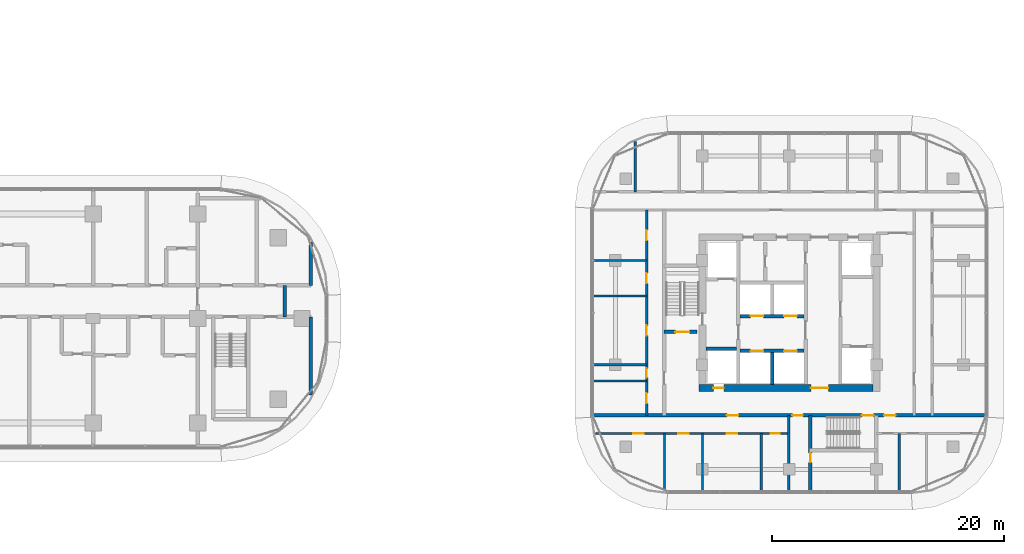
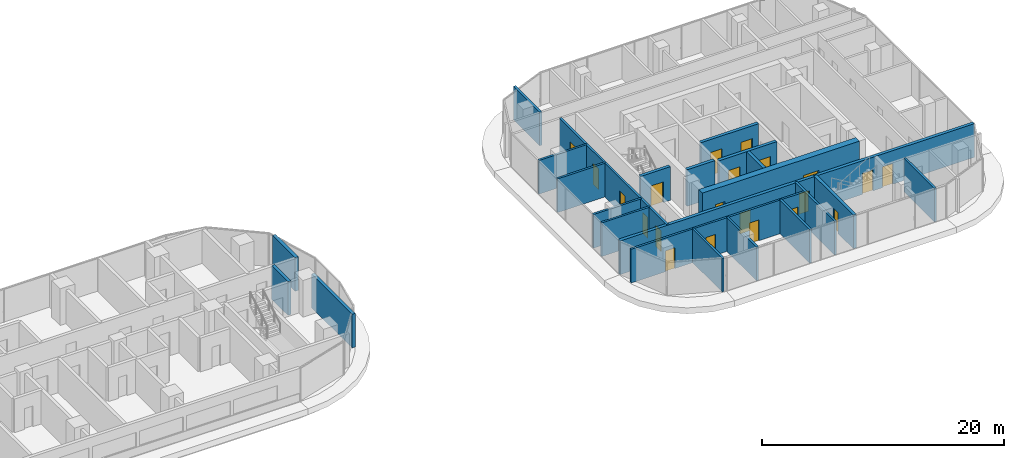
# One storey, part 22 of 36: 23 walls, 21 doors, 21 openings.
"""IFC4 building model written with IfcOpenShell, lengths in metres."""

from ifc_helpers import new_model, si_unit, direction, frame, frame_2d, origin, place, context, subcontext, project, spatial, rectangle, extrude, material, layer, layer_set, type_object, element, fill, save


model = new_model("IFC4")

# Units and contexts
model_context = context("Model", 3, precision=1e-05, world=origin(), true_north=direction((0.0, 1.0)))
body_context = subcontext(model_context, "Body", "Model", "MODEL_VIEW")
ifc_project = project(units=[si_unit("LENGTHUNIT", "METRE"), si_unit("AREAUNIT", "SQUARE_METRE"), si_unit("VOLUMEUNIT", "CUBIC_METRE"), si_unit("PLANEANGLEUNIT", "RADIAN"), si_unit("MASSUNIT", "GRAM", prefix="KILO")], contexts=[model_context])

# Site, building, storey
site_placement = place(None, origin())
site = spatial("IfcSite", under=ifc_project, at=site_placement, CompositionType="ELEMENT")
building_placement = place(site_placement, origin())
building = spatial("IfcBuilding", under=site, at=building_placement, Name="Ogive Portal Towers", CompositionType="ELEMENT")
storey_placement = place(building_placement, frame((0.0, 0.0, 52.0)))
storey = spatial("IfcBuildingStorey", under=building, at=storey_placement, Name="L11", CompositionType="ELEMENT", Elevation=52.0)

# Wall
ifc_material_1 = material(Name="Concrete C60/75", Category="concrete")
ifc_layer_1 = layer(ifc_material_1, 0.300048828125)
ifc_layer_set_1 = layer_set([ifc_layer_1], Name="CORE WALL 300 C60")
wall_type_1 = type_object("IfcWallType", Name="CORE WALL 300 C60", PredefinedType="SHEAR", material=ifc_layer_set_1)
wall_1_placement = place(storey_placement, frame((135.0, 24.800048828125, 0.0), z_axis=(0.0, 0.0, 1.0), x_axis=(0.0, 1.0, 0.0)))
element("IfcWall", 1, at=wall_1_placement, inside=storey, type_object=wall_type_1, Name="Tower B core wall BX4 L11", PredefinedType="SHEAR", context=body_context, shape_type="SweptSolid", body=[
    extrude(rectangle(XDim=2.75, YDim=0.300048828125, at=frame_2d((1.375, 0.0))), origin(), (0.0, 0.0, 1.0), 3.699951171875),
])

# Wall, openings, doors
wall_2_placement = place(storey_placement, frame((132.25, 27.699951171875, 0.0), z_axis=(0.0, 0.0, 1.0), x_axis=(1.0, 0.0, 0.0)))
wall_2 = element("IfcWall", 2, at=wall_2_placement, inside=storey, type_object=wall_type_1, Name="Tower B core wall BY1 L11", PredefinedType="SHEAR", context=body_context, shape_type="SweptSolid", body=[
    extrude(rectangle(XDim=5.5, YDim=0.300048828125, at=frame_2d((2.75, 0.0))), origin(), (0.0, 0.0, 1.0), 3.699951171875),
])
opening_1_placement = place(wall_2_placement, frame((0.89990234375, 0.0, 0.0)))
opening_1 = element("IfcOpeningElement", 3, at=opening_1_placement, cuts=wall_2, Name="Opening B03-048", PredefinedType="OPENING", context=body_context, shape_type="SweptSolid", body=[
    extrude(rectangle(XDim=1.10009765625, YDim=2.39990234375, at=frame_2d((0.550048828125, 1.199951171875))), frame((0.0, 0.16015625, 0.0), z_axis=(0.0, -1.0, 0.0), x_axis=(1.0, 0.0, 0.0)), (0.0, 0.0, 1.0), 0.320068359375),
])
opening_2_placement = place(wall_2_placement, frame((3.800048828125, 0.0, 0.0)))
opening_2 = element("IfcOpeningElement", 4, at=opening_2_placement, cuts=wall_2, Name="Opening B03-049", PredefinedType="OPENING", context=body_context, shape_type="SweptSolid", body=[
    extrude(rectangle(XDim=1.10009765625, YDim=2.39990234375, at=frame_2d((0.550048828125, 1.199951171875))), frame((0.0, 0.16015625, 0.0), z_axis=(0.0, -1.0, 0.0), x_axis=(1.0, 0.0, 0.0)), (0.0, 0.0, 1.0), 0.320068359375),
])
ifc_material_2 = material(Name="Stainless steel", Category="steel")
door_type_1 = type_object("IfcDoorType", Name="DT-LD-1100x2400", OperationType="SLIDING_TO_LEFT", PredefinedType="DOOR", material=ifc_material_2)
door_1_placement = place(opening_1_placement, origin())
door_1 = element("IfcDoor", 5, at=door_1_placement, inside=storey, type_object=door_type_1, Name="Door B03-048", OperationType="SLIDING_TO_LEFT", OverallHeight=2.39990234375, OverallWidth=1.10009765625, PredefinedType="DOOR", context=body_context, shape_type="SweptSolid", body=[
    extrude(rectangle(XDim=1.10009765625, YDim=2.39990234375, at=frame_2d((0.550048828125, 1.199951171875))), frame((0.0, 0.02490234375, 0.0), z_axis=(0.0, -1.0, 0.0), x_axis=(1.0, 0.0, 0.0)), (0.0, 0.0, 1.0), 0.050048828125),
])
fill(opening_1, door_1)
door_2_placement = place(opening_2_placement, origin())
door_2 = element("IfcDoor", 6, at=door_2_placement, inside=storey, type_object=door_type_1, Name="Door B03-049", OperationType="SLIDING_TO_LEFT", OverallHeight=2.39990234375, OverallWidth=1.10009765625, PredefinedType="DOOR", context=body_context, shape_type="SweptSolid", body=[
    extrude(rectangle(XDim=1.10009765625, YDim=2.39990234375, at=frame_2d((0.550048828125, 1.199951171875))), frame((0.0, 0.02490234375, 0.0), z_axis=(0.0, -1.0, 0.0), x_axis=(1.0, 0.0, 0.0)), (0.0, 0.0, 1.0), 0.050048828125),
])
fill(opening_2, door_2)

wall_3_placement = place(storey_placement, frame((132.25, 30.699951171875, 0.0), z_axis=(0.0, 0.0, 1.0), x_axis=(1.0, 0.0, 0.0)))
wall_3 = element("IfcWall", 7, at=wall_3_placement, inside=storey, type_object=wall_type_1, Name="Tower B core wall BY2 L11", PredefinedType="SHEAR", context=body_context, shape_type="SweptSolid", body=[
    extrude(rectangle(XDim=5.5, YDim=0.300048828125, at=frame_2d((2.75, 0.0))), origin(), (0.0, 0.0, 1.0), 3.699951171875),
])
opening_3_placement = place(wall_3_placement, frame((0.89990234375, 0.0, 0.0)))
opening_3 = element("IfcOpeningElement", 8, at=opening_3_placement, cuts=wall_3, Name="Opening B03-050", PredefinedType="OPENING", context=body_context, shape_type="SweptSolid", body=[
    extrude(rectangle(XDim=1.10009765625, YDim=2.39990234375, at=frame_2d((0.550048828125, 1.199951171875))), frame((0.0, 0.16015625, 0.0), z_axis=(0.0, -1.0, 0.0), x_axis=(1.0, 0.0, 0.0)), (0.0, 0.0, 1.0), 0.320068359375),
])
opening_4_placement = place(wall_3_placement, frame((3.800048828125, 0.0, 0.0)))
opening_4 = element("IfcOpeningElement", 9, at=opening_4_placement, cuts=wall_3, Name="Opening B03-051", PredefinedType="OPENING", context=body_context, shape_type="SweptSolid", body=[
    extrude(rectangle(XDim=1.10009765625, YDim=2.39990234375, at=frame_2d((0.550048828125, 1.199951171875))), frame((0.0, 0.16015625, 0.0), z_axis=(0.0, -1.0, 0.0), x_axis=(1.0, 0.0, 0.0)), (0.0, 0.0, 1.0), 0.320068359375),
])
door_3_placement = place(opening_3_placement, origin())
door_3 = element("IfcDoor", 10, at=door_3_placement, inside=storey, type_object=door_type_1, Name="Door B03-050", OperationType="SLIDING_TO_LEFT", OverallHeight=2.39990234375, OverallWidth=1.10009765625, PredefinedType="DOOR", context=body_context, shape_type="SweptSolid", body=[
    extrude(rectangle(XDim=1.10009765625, YDim=2.39990234375, at=frame_2d((0.550048828125, 1.199951171875))), frame((0.0, 0.02490234375, 0.0), z_axis=(0.0, -1.0, 0.0), x_axis=(1.0, 0.0, 0.0)), (0.0, 0.0, 1.0), 0.050048828125),
])
fill(opening_3, door_3)
door_4_placement = place(opening_4_placement, origin())
door_4 = element("IfcDoor", 11, at=door_4_placement, inside=storey, type_object=door_type_1, Name="Door B03-051", OperationType="SLIDING_TO_LEFT", OverallHeight=2.39990234375, OverallWidth=1.10009765625, PredefinedType="DOOR", context=body_context, shape_type="SweptSolid", body=[
    extrude(rectangle(XDim=1.10009765625, YDim=2.39990234375, at=frame_2d((0.550048828125, 1.199951171875))), frame((0.0, 0.02490234375, 0.0), z_axis=(0.0, -1.0, 0.0), x_axis=(1.0, 0.0, 0.0)), (0.0, 0.0, 1.0), 0.050048828125),
])
fill(opening_4, door_4)

# Wall
wall_4_placement = place(storey_placement, frame((129.300048828125, 27.89990234375, 0.0), z_axis=(0.0, 0.0, 1.0), x_axis=(1.0, 0.0, 0.0)))
element("IfcWall", 12, at=wall_4_placement, inside=storey, type_object=wall_type_1, Name="Tower B core wall BY4 L11", PredefinedType="SHEAR", context=body_context, shape_type="SweptSolid", body=[
    extrude(rectangle(XDim=2.64990234375, YDim=0.300048828125, at=frame_2d((1.324951171875, 0.0))), origin(), (0.0, 0.0, 1.0), 3.699951171875),
])

# Wall, openings, doors
ifc_layer_2 = layer(ifc_material_1, 0.60009765625)
ifc_layer_set_2 = layer_set([ifc_layer_2], Name="CORE WALL 600 C60")
wall_type_2 = type_object("IfcWallType", Name="CORE WALL 600 C60", PredefinedType="SHEAR", material=ifc_layer_set_2)
wall_5_placement = place(storey_placement, frame((128.699951171875, 24.5, 0.0), z_axis=(0.0, 0.0, 1.0), x_axis=(1.0, 0.0, 0.0)))
wall_5 = element("IfcWall", 13, at=wall_5_placement, inside=storey, type_object=wall_type_2, Name="Tower B core wall BS L11", PredefinedType="SHEAR", context=body_context, shape_type="SweptSolid", body=[
    extrude(rectangle(XDim=15.0, YDim=0.60009765625, at=frame_2d((7.5, 0.0))), origin(), (0.0, 0.0, 1.0), 3.699951171875),
])
opening_5_placement = place(wall_5_placement, frame((9.64990234375, 0.0, 0.0)))
opening_5 = element("IfcOpeningElement", 14, at=opening_5_placement, cuts=wall_5, Name="Opening B03-044", PredefinedType="OPENING", context=body_context, shape_type="SweptSolid", body=[
    extrude(rectangle(XDim=1.5, YDim=2.10009765625, at=frame_2d((0.75, 1.050048828125))), frame((0.0, 0.31005859375, 0.0), z_axis=(0.0, -1.0, 0.0), x_axis=(1.0, 0.0, 0.0)), (0.0, 0.0, 1.0), 0.6201171875),
])
opening_6_placement = place(wall_5_placement, frame((1.25, 0.0, 0.0)))
opening_6 = element("IfcOpeningElement", 15, at=opening_6_placement, cuts=wall_5, Name="Opening B03-046", PredefinedType="OPENING", context=body_context, shape_type="SweptSolid", body=[
    extrude(rectangle(XDim=0.89990234375, YDim=2.10009765625, at=frame_2d((0.449951171875, 1.050048828125))), frame((0.0, 0.31005859375, 0.0), z_axis=(0.0, -1.0, 0.0), x_axis=(1.0, 0.0, 0.0)), (0.0, 0.0, 1.0), 0.6201171875),
])
ifc_material_3 = material(Name="Steel fire door", Category="steel")
door_type_2 = type_object("IfcDoorType", Name="DT-SWING-1500x2100-FD90S", OperationType="SINGLE_SWING_LEFT", PredefinedType="DOOR", material=ifc_material_3)
door_5_placement = place(opening_5_placement, origin())
door_5 = element("IfcDoor", 16, at=door_5_placement, inside=storey, type_object=door_type_2, Name="Door B03-044", OperationType="SINGLE_SWING_LEFT", OverallHeight=2.10009765625, OverallWidth=1.5, PredefinedType="DOOR", context=body_context, shape_type="SweptSolid", body=[
    extrude(rectangle(XDim=1.5, YDim=2.10009765625, at=frame_2d((0.75, 1.050048828125))), frame((0.0, 0.02490234375, 0.0), z_axis=(0.0, -1.0, 0.0), x_axis=(1.0, 0.0, 0.0)), (0.0, 0.0, 1.0), 0.050048828125),
])
fill(opening_5, door_5)
door_type_3 = type_object("IfcDoorType", Name="DT-SWING-900x2100-FD90S", OperationType="SINGLE_SWING_LEFT", PredefinedType="DOOR", material=ifc_material_3)
door_6_placement = place(opening_6_placement, origin())
door_6 = element("IfcDoor", 17, at=door_6_placement, inside=storey, type_object=door_type_3, Name="Riser access door B03-046", OperationType="SINGLE_SWING_LEFT", OverallHeight=2.10009765625, OverallWidth=0.89990234375, PredefinedType="DOOR", context=body_context, shape_type="SweptSolid", body=[
    extrude(rectangle(XDim=0.89990234375, YDim=2.10009765625, at=frame_2d((0.449951171875, 1.050048828125))), frame((0.0, 0.02490234375, 0.0), z_axis=(0.0, -1.0, 0.0), x_axis=(1.0, 0.0, 0.0)), (0.0, 0.0, 1.0), 0.050048828125),
])
fill(opening_6, door_6)

ifc_material_4 = material(Name="Concrete C50/60", Category="concrete")
ifc_layer_3 = layer(ifc_material_4, 0.300048828125)
ifc_layer_set_3 = layer_set([ifc_layer_3], Name="STAIR WALL 300 C50")
wall_type_3 = type_object("IfcWallType", Name="STAIR WALL 300 C50", PredefinedType="SHEAR", material=ifc_layer_set_3)
wall_6_placement = place(storey_placement, frame((119.580078125, 22.14990234375, 0.0), z_axis=(0.0, 0.0, 1.0), x_axis=(1.0, 0.0, 0.0)))
wall_6 = element("IfcWall", 18, at=wall_6_placement, inside=storey, type_object=wall_type_3, Name="Stair wall ST-B2 L11", PredefinedType="SHEAR", context=body_context, shape_type="SweptSolid", body=[
    extrude(rectangle(XDim=33.83984375, YDim=0.300048828125, at=frame_2d((16.919921875, 0.0))), origin(), (0.0, 0.0, 1.0), 3.39990234375),
])
opening_7_placement = place(wall_6_placement, frame((23.169921875, 0.0, 0.0)))
opening_7 = element("IfcOpeningElement", 19, at=opening_7_placement, cuts=wall_6, Name="Opening B03-003", PredefinedType="OPENING", context=body_context, shape_type="SweptSolid", body=[
    extrude(rectangle(XDim=1.0, YDim=2.10009765625, at=frame_2d((0.5, 1.050048828125))), frame((0.0, 0.16015625, 0.0), z_axis=(0.0, -1.0, 0.0), x_axis=(1.0, 0.0, 0.0)), (0.0, 0.0, 1.0), 0.320068359375),
])
opening_8_placement = place(wall_6_placement, frame((11.52001953125, 0.0, 0.0)))
opening_8 = element("IfcOpeningElement", 20, at=opening_8_placement, cuts=wall_6, Name="Opening B03-017", PredefinedType="OPENING", context=body_context, shape_type="SweptSolid", body=[
    extrude(rectangle(XDim=1.0, YDim=2.10009765625, at=frame_2d((0.5, 1.050048828125))), frame((0.0, 0.16015625, 0.0), z_axis=(0.0, -1.0, 0.0), x_axis=(1.0, 0.0, 0.0)), (0.0, 0.0, 1.0), 0.320068359375),
])
opening_9_placement = place(wall_6_placement, frame((25.070068359375, 0.0, 0.0)))
opening_9 = element("IfcOpeningElement", 21, at=opening_9_placement, cuts=wall_6, Name="Opening B03-022", PredefinedType="OPENING", context=body_context, shape_type="SweptSolid", body=[
    extrude(rectangle(XDim=1.0, YDim=2.10009765625, at=frame_2d((0.5, 1.050048828125))), frame((0.0, 0.16015625, 0.0), z_axis=(0.0, -1.0, 0.0), x_axis=(1.0, 0.0, 0.0)), (0.0, 0.0, 1.0), 0.320068359375),
])
opening_10_placement = place(wall_6_placement, frame((17.169921875, 0.0, 0.0)))
opening_10 = element("IfcOpeningElement", 22, at=opening_10_placement, cuts=wall_6, Name="Opening B03-026", PredefinedType="OPENING", context=body_context, shape_type="SweptSolid", body=[
    extrude(rectangle(XDim=0.89990234375, YDim=2.10009765625, at=frame_2d((0.449951171875, 1.050048828125))), frame((0.0, 0.16015625, 0.0), z_axis=(0.0, -1.0, 0.0), x_axis=(1.0, 0.0, 0.0)), (0.0, 0.0, 1.0), 0.320068359375),
])
door_type_4 = type_object("IfcDoorType", Name="DT-SWING-1000x2100-FD90S", OperationType="SINGLE_SWING_LEFT", PredefinedType="DOOR", material=ifc_material_3)
door_7_placement = place(opening_7_placement, origin())
door_7 = element("IfcDoor", 23, at=door_7_placement, inside=storey, type_object=door_type_4, Name="Door B03-003", OperationType="SINGLE_SWING_LEFT", OverallHeight=2.10009765625, OverallWidth=1.0, PredefinedType="DOOR", context=body_context, shape_type="SweptSolid", body=[
    extrude(rectangle(XDim=1.0, YDim=2.10009765625, at=frame_2d((0.5, 1.050048828125))), frame((0.0, 0.02490234375, 0.0), z_axis=(0.0, -1.0, 0.0), x_axis=(1.0, 0.0, 0.0)), (0.0, 0.0, 1.0), 0.050048828125),
])
fill(opening_7, door_7)
door_8_placement = place(opening_8_placement, origin())
door_8 = element("IfcDoor", 24, at=door_8_placement, inside=storey, type_object=door_type_4, Name="Door B03-017", OperationType="SINGLE_SWING_LEFT", OverallHeight=2.10009765625, OverallWidth=1.0, PredefinedType="DOOR", context=body_context, shape_type="SweptSolid", body=[
    extrude(rectangle(XDim=1.0, YDim=2.10009765625, at=frame_2d((0.5, 1.050048828125))), frame((0.0, 0.02490234375, 0.0), z_axis=(0.0, -1.0, 0.0), x_axis=(1.0, 0.0, 0.0)), (0.0, 0.0, 1.0), 0.050048828125),
])
fill(opening_8, door_8)
door_9_placement = place(opening_9_placement, origin())
door_9 = element("IfcDoor", 25, at=door_9_placement, inside=storey, type_object=door_type_4, Name="Door B03-022", OperationType="SINGLE_SWING_RIGHT", OverallHeight=2.10009765625, OverallWidth=1.0, PredefinedType="DOOR", context=body_context, shape_type="SweptSolid", body=[
    extrude(rectangle(XDim=1.0, YDim=2.10009765625, at=frame_2d((0.5, 1.050048828125))), frame((0.0, 0.02490234375, 0.0), z_axis=(0.0, -1.0, 0.0), x_axis=(1.0, 0.0, 0.0)), (0.0, 0.0, 1.0), 0.050048828125),
])
fill(opening_9, door_9)
door_10_placement = place(opening_10_placement, origin())
door_10 = element("IfcDoor", 26, at=door_10_placement, inside=storey, type_object=door_type_3, Name="Door B03-026", OperationType="SINGLE_SWING_RIGHT", OverallHeight=2.10009765625, OverallWidth=0.89990234375, PredefinedType="DOOR", context=body_context, shape_type="SweptSolid", body=[
    extrude(rectangle(XDim=0.89990234375, YDim=2.10009765625, at=frame_2d((0.449951171875, 1.050048828125))), frame((0.0, 0.02490234375, 0.0), z_axis=(0.0, -1.0, 0.0), x_axis=(1.0, 0.0, 0.0)), (0.0, 0.0, 1.0), 0.050048828125),
])
fill(opening_10, door_10)

# Wall, opening, door
wall_7_placement = place(storey_placement, frame((125.699951171875, 29.35009765625, 0.0), z_axis=(0.0, 0.0, 1.0), x_axis=(1.0, 0.0, 0.0)))
wall_7 = element("IfcWall", 27, at=wall_7_placement, inside=storey, type_object=wall_type_3, Name="Stair wall ST-B1 L11", PredefinedType="SHEAR", context=body_context, shape_type="SweptSolid", body=[
    extrude(rectangle(XDim=2.830078125, YDim=0.300048828125, at=frame_2d((1.4150390625, 0.0))), origin(), (0.0, 0.0, 1.0), 3.39990234375),
])
opening_11_placement = place(wall_7_placement, frame((0.97509765625, 0.0, 0.0)))
opening_11 = element("IfcOpeningElement", 28, at=opening_11_placement, cuts=wall_7, Name="Opening B03-002", PredefinedType="OPENING", context=body_context, shape_type="SweptSolid", body=[
    extrude(rectangle(XDim=1.199951171875, YDim=2.10009765625, at=frame_2d((0.60009765625, 1.050048828125))), frame((0.0, 0.16015625, 0.0), z_axis=(0.0, -1.0, 0.0), x_axis=(1.0, 0.0, 0.0)), (0.0, 0.0, 1.0), 0.320068359375),
])
door_type_5 = type_object("IfcDoorType", Name="DT-SWING-1200x2100-FD90S", OperationType="SINGLE_SWING_LEFT", PredefinedType="DOOR", material=ifc_material_3)
door_11_placement = place(opening_11_placement, origin())
door_11 = element("IfcDoor", 29, at=door_11_placement, inside=storey, type_object=door_type_5, Name="Door B03-002", OperationType="SINGLE_SWING_RIGHT", OverallHeight=2.10009765625, OverallWidth=1.199951171875, PredefinedType="DOOR", context=body_context, shape_type="SweptSolid", body=[
    extrude(rectangle(XDim=1.199951171875, YDim=2.10009765625, at=frame_2d((0.60009765625, 1.050048828125))), frame((0.0, 0.02490234375, 0.0), z_axis=(0.0, -1.0, 0.0), x_axis=(1.0, 0.0, 0.0)), (0.0, 0.0, 1.0), 0.050048828125),
])
fill(opening_11, door_11)

wall_8_placement = place(storey_placement, frame((138.300048828125, 15.580078125, 0.0), z_axis=(0.0, 0.0, 1.0), x_axis=(0.0, 1.0, 0.0)))
wall_8 = element("IfcWall", 30, at=wall_8_placement, inside=storey, type_object=wall_type_3, Name="Stair wall ST-B2 L11", PredefinedType="SHEAR", context=body_context, shape_type="SweptSolid", body=[
    extrude(rectangle(XDim=6.56982421875, YDim=0.300048828125, at=frame_2d((3.284912109375, 0.0))), origin(), (0.0, 0.0, 1.0), 3.39990234375),
])
opening_12_placement = place(wall_8_placement, frame((2.52001953125, 0.0, 0.0)))
opening_12 = element("IfcOpeningElement", 31, at=opening_12_placement, cuts=wall_8, Name="Opening B03-027", PredefinedType="OPENING", context=body_context, shape_type="SweptSolid", body=[
    extrude(rectangle(XDim=0.800048828125, YDim=2.10009765625, at=frame_2d((0.39990234375, 1.050048828125))), frame((0.0, 0.16015625, 0.0), z_axis=(0.0, -1.0, 0.0), x_axis=(1.0, 0.0, 0.0)), (0.0, 0.0, 1.0), 0.320068359375),
])
door_type_6 = type_object("IfcDoorType", Name="DT-SWING-800x2100-FD90S", OperationType="SINGLE_SWING_LEFT", PredefinedType="DOOR", material=ifc_material_3)
door_12_placement = place(opening_12_placement, origin())
door_12 = element("IfcDoor", 32, at=door_12_placement, inside=storey, type_object=door_type_6, Name="Door B03-027", OperationType="SINGLE_SWING_LEFT", OverallHeight=2.10009765625, OverallWidth=0.800048828125, PredefinedType="DOOR", context=body_context, shape_type="SweptSolid", body=[
    extrude(rectangle(XDim=0.800048828125, YDim=2.10009765625, at=frame_2d((0.39990234375, 1.050048828125))), frame((0.0, 0.02490234375, 0.0), z_axis=(0.0, -1.0, 0.0), x_axis=(1.0, 0.0, 0.0)), (0.0, 0.0, 1.0), 0.050048828125),
])
fill(opening_12, door_12)

# Wall, openings, doors
ifc_material_5 = material(Name="Gypsum board partition on steel studs", Category="steel")
ifc_layer_4 = layer(ifc_material_5, 0.199951171875)
ifc_layer_set_4 = layer_set([ifc_layer_4], Name="WT-PART-200-EI 60")
wall_type_4 = type_object("IfcWallType", Name="WT-PART-200-EI 60", PredefinedType="PARTITIONING", material=ifc_layer_set_4)
wall_9_placement = place(storey_placement, frame((119.76611328125, 20.590087890625, 0.0), z_axis=(0.0, 0.0, 1.0), x_axis=(1.0, 0.0, 0.0)))
wall_9 = element("IfcWall", 33, at=wall_9_placement, inside=storey, type_object=wall_type_4, Name="Wall L11:w002", PredefinedType="PARTITIONING", context=body_context, shape_type="SweptSolid", body=[
    extrude(rectangle(XDim=16.73388671875, YDim=0.199951171875, at=frame_2d((8.366943359375, 0.0))), origin(), (0.0, 0.0, 1.0), 3.39990234375),
])
opening_13_placement = place(wall_9_placement, frame((3.281982421875, 0.0, 0.0)))
opening_13 = element("IfcOpeningElement", 34, at=opening_13_placement, cuts=wall_9, Name="Opening B03-018", PredefinedType="OPENING", context=body_context, shape_type="SweptSolid", body=[
    extrude(rectangle(XDim=0.89990234375, YDim=2.10009765625, at=frame_2d((0.449951171875, 1.050048828125))), frame((0.0, 0.10986328125, 0.0), z_axis=(0.0, -1.0, 0.0), x_axis=(1.0, 0.0, 0.0)), (0.0, 0.0, 1.0), 0.219970703125),
])
opening_14_placement = place(wall_9_placement, frame((7.152099609375, 0.0, 0.0)))
opening_14 = element("IfcOpeningElement", 35, at=opening_14_placement, cuts=wall_9, Name="Opening B03-019", PredefinedType="OPENING", context=body_context, shape_type="SweptSolid", body=[
    extrude(rectangle(XDim=0.89990234375, YDim=2.10009765625, at=frame_2d((0.449951171875, 1.050048828125))), frame((0.0, 0.10986328125, 0.0), z_axis=(0.0, -1.0, 0.0), x_axis=(1.0, 0.0, 0.0)), (0.0, 0.0, 1.0), 0.219970703125),
])
opening_15_placement = place(wall_9_placement, frame((11.318115234375, 0.0, 0.0)))
opening_15 = element("IfcOpeningElement", 36, at=opening_15_placement, cuts=wall_9, Name="Opening B03-020", PredefinedType="OPENING", context=body_context, shape_type="SweptSolid", body=[
    extrude(rectangle(XDim=0.89990234375, YDim=2.10009765625, at=frame_2d((0.449951171875, 1.050048828125))), frame((0.0, 0.10986328125, 0.0), z_axis=(0.0, -1.0, 0.0), x_axis=(1.0, 0.0, 0.0)), (0.0, 0.0, 1.0), 0.219970703125),
])
opening_16_placement = place(wall_9_placement, frame((15.117919921875, 0.0, 0.0)))
opening_16 = element("IfcOpeningElement", 37, at=opening_16_placement, cuts=wall_9, Name="Opening B03-021", PredefinedType="OPENING", context=body_context, shape_type="SweptSolid", body=[
    extrude(rectangle(XDim=0.800048828125, YDim=2.10009765625, at=frame_2d((0.39990234375, 1.050048828125))), frame((0.0, 0.10986328125, 0.0), z_axis=(0.0, -1.0, 0.0), x_axis=(1.0, 0.0, 0.0)), (0.0, 0.0, 1.0), 0.219970703125),
])
door_type_7 = type_object("IfcDoorType", Name="DT-SWING-800x2100-FD60S", OperationType="SINGLE_SWING_LEFT", PredefinedType="DOOR", material=ifc_material_3)
door_13_placement = place(opening_16_placement, origin())
door_13 = element("IfcDoor", 38, at=door_13_placement, inside=storey, type_object=door_type_7, Name="Door B03-021", OperationType="SINGLE_SWING_LEFT", OverallHeight=2.10009765625, OverallWidth=0.800048828125, PredefinedType="DOOR", context=body_context, shape_type="SweptSolid", body=[
    extrude(rectangle(XDim=0.800048828125, YDim=2.10009765625, at=frame_2d((0.39990234375, 1.050048828125))), frame((0.0, 0.02490234375, 0.0), z_axis=(0.0, -1.0, 0.0), x_axis=(1.0, 0.0, 0.0)), (0.0, 0.0, 1.0), 0.050048828125),
])
fill(opening_16, door_13)
door_type_8 = type_object("IfcDoorType", Name="DT-SWING-900x2100-FD60S", OperationType="SINGLE_SWING_LEFT", PredefinedType="DOOR", material=ifc_material_3)
door_14_placement = place(opening_13_placement, origin())
door_14 = element("IfcDoor", 39, at=door_14_placement, inside=storey, type_object=door_type_8, Name="Door B03-018", OperationType="SINGLE_SWING_RIGHT", OverallHeight=2.10009765625, OverallWidth=0.89990234375, PredefinedType="DOOR", context=body_context, shape_type="SweptSolid", body=[
    extrude(rectangle(XDim=0.89990234375, YDim=2.10009765625, at=frame_2d((0.449951171875, 1.050048828125))), frame((0.0, 0.02490234375, 0.0), z_axis=(0.0, -1.0, 0.0), x_axis=(1.0, 0.0, 0.0)), (0.0, 0.0, 1.0), 0.050048828125),
])
fill(opening_13, door_14)
door_15_placement = place(opening_14_placement, origin())
door_15 = element("IfcDoor", 40, at=door_15_placement, inside=storey, type_object=door_type_8, Name="Door B03-019", OperationType="SINGLE_SWING_LEFT", OverallHeight=2.10009765625, OverallWidth=0.89990234375, PredefinedType="DOOR", context=body_context, shape_type="SweptSolid", body=[
    extrude(rectangle(XDim=0.89990234375, YDim=2.10009765625, at=frame_2d((0.449951171875, 1.050048828125))), frame((0.0, 0.02490234375, 0.0), z_axis=(0.0, -1.0, 0.0), x_axis=(1.0, 0.0, 0.0)), (0.0, 0.0, 1.0), 0.050048828125),
])
fill(opening_14, door_15)
door_16_placement = place(opening_15_placement, origin())
door_16 = element("IfcDoor", 41, at=door_16_placement, inside=storey, type_object=door_type_8, Name="Door B03-020", OperationType="SINGLE_SWING_RIGHT", OverallHeight=2.10009765625, OverallWidth=0.89990234375, PredefinedType="DOOR", context=body_context, shape_type="SweptSolid", body=[
    extrude(rectangle(XDim=0.89990234375, YDim=2.10009765625, at=frame_2d((0.449951171875, 1.050048828125))), frame((0.0, 0.02490234375, 0.0), z_axis=(0.0, -1.0, 0.0), x_axis=(1.0, 0.0, 0.0)), (0.0, 0.0, 1.0), 0.050048828125),
])
fill(opening_15, door_16)

# Walls
for number, where, z_axis, x_axis, name in (
    (42, (119.580078125, 25.10595703125, 0.0), (0.0, 0.0, 1.0), (1.0, 0.0, 0.0), "Wall L11:w007"),
    (43, (119.580078125, 26.5, 0.0), (0.0, 0.0, 1.0), (1.0, 0.0, 0.0), "Wall L11:w008"),
    (44, (119.580078125, 32.43310546875, 0.0), (0.0, 0.0, 1.0), (1.0, 0.0, 0.0), "Wall L11:w011"),
    (45, (119.580078125, 35.5, 0.0), (0.0, 0.0, 1.0), (1.0, 0.0, 0.0), "Wall L11:w014"),
):
    element("IfcWall", number, at=place(storey_placement, frame(where, z_axis=z_axis, x_axis=x_axis)), inside=storey, type_object=wall_type_4, Name=name, PredefinedType="PARTITIONING", context=body_context, shape_type="SweptSolid", body=[
        extrude(rectangle(XDim=4.60986328125, YDim=0.199951171875, at=frame_2d((2.304931640625, 0.0))), origin(), (0.0, 0.0, 1.0), 3.39990234375),
    ])
wall_10_placement = place(storey_placement, frame((123.2060546875, 41.409912109375, 0.0), z_axis=(0.0, 0.0, 1.0), x_axis=(0.0, 1.0, 0.0)))
element("IfcWall", 46, at=wall_10_placement, inside=storey, type_object=wall_type_4, Name="Wall L11:w021", PredefinedType="PARTITIONING", context=body_context, shape_type="SweptSolid", body=[
    extrude(rectangle(XDim=4.322021484375, YDim=0.199951171875, at=frame_2d((2.1611328125, 0.0))), origin(), (0.0, 0.0, 1.0), 3.39990234375),
])

# Wall, openings, doors
wall_11_placement = place(storey_placement, frame((124.18994140625, 22.14990234375, 0.0), z_axis=(0.0, 0.0, 1.0), x_axis=(0.0, 1.0, 0.0)))
wall_11 = element("IfcWall", 47, at=wall_11_placement, inside=storey, type_object=wall_type_4, Name="Wall L11:w022", PredefinedType="PARTITIONING", context=body_context, shape_type="SweptSolid", body=[
    extrude(rectangle(XDim=17.7001953125, YDim=0.199951171875, at=frame_2d((8.85009765625, 0.0))), origin(), (0.0, 0.0, 1.0), 3.39990234375),
])
opening_17_placement = place(wall_11_placement, frame((1.028076171875, 0.0, 0.0)))
opening_17 = element("IfcOpeningElement", 48, at=opening_17_placement, cuts=wall_11, Name="Opening B03-029", PredefinedType="OPENING", context=body_context, shape_type="SweptSolid", body=[
    extrude(rectangle(XDim=0.89990234375, YDim=2.10009765625, at=frame_2d((0.449951171875, 1.050048828125))), frame((0.0, 0.10986328125, 0.0), z_axis=(0.0, -1.0, 0.0), x_axis=(1.0, 0.0, 0.0)), (0.0, 0.0, 1.0), 0.219970703125),
])
opening_18_placement = place(wall_11_placement, frame((3.2529296875, 0.0, 0.0)))
opening_18 = element("IfcOpeningElement", 49, at=opening_18_placement, cuts=wall_11, Name="Opening B03-030", PredefinedType="OPENING", context=body_context, shape_type="SweptSolid", body=[
    extrude(rectangle(XDim=0.800048828125, YDim=2.10009765625, at=frame_2d((0.39990234375, 1.050048828125))), frame((0.0, 0.10986328125, 0.0), z_axis=(0.0, -1.0, 0.0), x_axis=(1.0, 0.0, 0.0)), (0.0, 0.0, 1.0), 0.219970703125),
])
opening_19_placement = place(wall_11_placement, frame((6.866943359375, 0.0, 0.0)))
opening_19 = element("IfcOpeningElement", 50, at=opening_19_placement, cuts=wall_11, Name="Opening B03-031", PredefinedType="OPENING", context=body_context, shape_type="SweptSolid", body=[
    extrude(rectangle(XDim=0.89990234375, YDim=2.10009765625, at=frame_2d((0.449951171875, 1.050048828125))), frame((0.0, 0.10986328125, 0.0), z_axis=(0.0, -1.0, 0.0), x_axis=(1.0, 0.0, 0.0)), (0.0, 0.0, 1.0), 0.219970703125),
])
opening_20_placement = place(wall_11_placement, frame((11.366943359375, 0.0, 0.0)))
opening_20 = element("IfcOpeningElement", 51, at=opening_20_placement, cuts=wall_11, Name="Opening B03-032", PredefinedType="OPENING", context=body_context, shape_type="SweptSolid", body=[
    extrude(rectangle(XDim=0.89990234375, YDim=2.10009765625, at=frame_2d((0.449951171875, 1.050048828125))), frame((0.0, 0.10986328125, 0.0), z_axis=(0.0, -1.0, 0.0), x_axis=(1.0, 0.0, 0.0)), (0.0, 0.0, 1.0), 0.219970703125),
])
opening_21_placement = place(wall_11_placement, frame((15.074951171875, 0.0, 0.0)))
opening_21 = element("IfcOpeningElement", 52, at=opening_21_placement, cuts=wall_11, Name="Opening B03-033", PredefinedType="OPENING", context=body_context, shape_type="SweptSolid", body=[
    extrude(rectangle(XDim=0.89990234375, YDim=2.10009765625, at=frame_2d((0.449951171875, 1.050048828125))), frame((0.0, 0.10986328125, 0.0), z_axis=(0.0, -1.0, 0.0), x_axis=(1.0, 0.0, 0.0)), (0.0, 0.0, 1.0), 0.219970703125),
])
door_17_placement = place(opening_18_placement, origin())
door_17 = element("IfcDoor", 53, at=door_17_placement, inside=storey, type_object=door_type_7, Name="Door B03-030", OperationType="SINGLE_SWING_RIGHT", OverallHeight=2.10009765625, OverallWidth=0.800048828125, PredefinedType="DOOR", context=body_context, shape_type="SweptSolid", body=[
    extrude(rectangle(XDim=0.800048828125, YDim=2.10009765625, at=frame_2d((0.39990234375, 1.050048828125))), frame((0.0, 0.02490234375, 0.0), z_axis=(0.0, -1.0, 0.0), x_axis=(1.0, 0.0, 0.0)), (0.0, 0.0, 1.0), 0.050048828125),
])
fill(opening_18, door_17)
door_18_placement = place(opening_17_placement, origin())
door_18 = element("IfcDoor", 54, at=door_18_placement, inside=storey, type_object=door_type_8, Name="Door B03-029", OperationType="SINGLE_SWING_LEFT", OverallHeight=2.10009765625, OverallWidth=0.89990234375, PredefinedType="DOOR", context=body_context, shape_type="SweptSolid", body=[
    extrude(rectangle(XDim=0.89990234375, YDim=2.10009765625, at=frame_2d((0.449951171875, 1.050048828125))), frame((0.0, 0.02490234375, 0.0), z_axis=(0.0, -1.0, 0.0), x_axis=(1.0, 0.0, 0.0)), (0.0, 0.0, 1.0), 0.050048828125),
])
fill(opening_17, door_18)
door_19_placement = place(opening_19_placement, origin())
door_19 = element("IfcDoor", 55, at=door_19_placement, inside=storey, type_object=door_type_8, Name="Door B03-031", OperationType="SINGLE_SWING_LEFT", OverallHeight=2.10009765625, OverallWidth=0.89990234375, PredefinedType="DOOR", context=body_context, shape_type="SweptSolid", body=[
    extrude(rectangle(XDim=0.89990234375, YDim=2.10009765625, at=frame_2d((0.449951171875, 1.050048828125))), frame((0.0, 0.02490234375, 0.0), z_axis=(0.0, -1.0, 0.0), x_axis=(1.0, 0.0, 0.0)), (0.0, 0.0, 1.0), 0.050048828125),
])
fill(opening_19, door_19)
door_20_placement = place(opening_20_placement, origin())
door_20 = element("IfcDoor", 56, at=door_20_placement, inside=storey, type_object=door_type_8, Name="Door B03-032", OperationType="SINGLE_SWING_RIGHT", OverallHeight=2.10009765625, OverallWidth=0.89990234375, PredefinedType="DOOR", context=body_context, shape_type="SweptSolid", body=[
    extrude(rectangle(XDim=0.89990234375, YDim=2.10009765625, at=frame_2d((0.449951171875, 1.050048828125))), frame((0.0, 0.02490234375, 0.0), z_axis=(0.0, -1.0, 0.0), x_axis=(1.0, 0.0, 0.0)), (0.0, 0.0, 1.0), 0.050048828125),
])
fill(opening_20, door_20)
door_21_placement = place(opening_21_placement, origin())
door_21 = element("IfcDoor", 57, at=door_21_placement, inside=storey, type_object=door_type_8, Name="Door B03-033", OperationType="SINGLE_SWING_LEFT", OverallHeight=2.10009765625, OverallWidth=0.89990234375, PredefinedType="DOOR", context=body_context, shape_type="SweptSolid", body=[
    extrude(rectangle(XDim=0.89990234375, YDim=2.10009765625, at=frame_2d((0.449951171875, 1.050048828125))), frame((0.0, 0.02490234375, 0.0), z_axis=(0.0, -1.0, 0.0), x_axis=(1.0, 0.0, 0.0)), (0.0, 0.0, 1.0), 0.050048828125),
])
fill(opening_21, door_21)

# Walls
wall_12_placement = place(storey_placement, frame((125.737060546875, 15.614990234375, 0.0), z_axis=(0.0, 0.0, 1.0), x_axis=(0.0, 1.0, 0.0)))
element("IfcWall", 58, at=wall_12_placement, inside=storey, type_object=wall_type_4, Name="Wall L11:w024", PredefinedType="PARTITIONING", context=body_context, shape_type="SweptSolid", body=[
    extrude(rectangle(XDim=4.97509765625, YDim=0.199951171875, at=frame_2d((2.487548828125, 0.0))), origin(), (0.0, 0.0, 1.0), 3.39990234375),
])
for number, where, z_axis, x_axis, name in (
    (59, (129.0, 15.580078125, 0.0), (0.0, 0.0, 1.0), (0.0, 1.0, 0.0), "Wall L11:w028"),
    (60, (134.069091796875, 15.580078125, 0.0), (0.0, 0.0, 1.0), (0.0, 1.0, 0.0), "Wall L11:w031"),
):
    element("IfcWall", number, at=place(storey_placement, frame(where, z_axis=z_axis, x_axis=x_axis)), inside=storey, type_object=wall_type_4, Name=name, PredefinedType="PARTITIONING", context=body_context, shape_type="SweptSolid", body=[
        extrude(rectangle(XDim=5.010009765625, YDim=0.199951171875, at=frame_2d((2.5048828125, 0.0))), origin(), (0.0, 0.0, 1.0), 3.39990234375),
    ])
wall_13_placement = place(storey_placement, frame((136.449951171875, 15.580078125, 0.0), z_axis=(0.0, 0.0, 1.0), x_axis=(0.0, 1.0, 0.0)))
element("IfcWall", 61, at=wall_13_placement, inside=storey, type_object=wall_type_4, Name="Wall L11:w033", PredefinedType="PARTITIONING", context=body_context, shape_type="SweptSolid", body=[
    extrude(rectangle(XDim=6.56982421875, YDim=0.199951171875, at=frame_2d((3.284912109375, 0.0))), origin(), (0.0, 0.0, 1.0), 3.39990234375),
])
wall_14_placement = place(storey_placement, frame((145.97412109375, 15.580078125, 0.0), z_axis=(0.0, 0.0, 1.0), x_axis=(0.0, 1.0, 0.0)))
element("IfcWall", 62, at=wall_14_placement, inside=storey, type_object=wall_type_4, Name="Wall L11:w041", PredefinedType="PARTITIONING", context=body_context, shape_type="SweptSolid", body=[
    extrude(rectangle(XDim=5.010009765625, YDim=0.199951171875, at=frame_2d((2.5048828125, 0.0))), origin(), (0.0, 0.0, 1.0), 3.39990234375),
])
ifc_layer_5 = layer(ifc_material_5, 0.300048828125)
ifc_layer_set_5 = layer_set([ifc_layer_5], Name="WT-PART-300-EI 120")
wall_type_5 = type_object("IfcWallType", Name="WT-PART-300-EI 120", PredefinedType="PARTITIONING", material=ifc_layer_set_5)
wall_15_placement = place(storey_placement, frame((93.0, 30.64990234375, 0.0), z_axis=(0.0, 0.0, 1.0), x_axis=(0.0, 1.0, 0.0)))
element("IfcWall", 63, at=wall_15_placement, inside=storey, type_object=wall_type_5, Name="Wall L11:w063", PredefinedType="PARTITIONING", context=body_context, shape_type="SweptSolid", body=[
    extrude(rectangle(XDim=2.7001953125, YDim=0.300048828125, at=frame_2d((1.35009765625, 0.0))), origin(), (0.0, 0.0, 1.0), 3.39990234375),
])
ifc_layer_6 = layer(ifc_material_5, 0.300048828125)
ifc_layer_set_6 = layer_set([ifc_layer_6], Name="WT-PART-300-EI 60")
wall_type_6 = type_object("IfcWallType", Name="WT-PART-300-EI 60", PredefinedType="PARTITIONING", material=ifc_layer_set_6)
wall_16_placement = place(storey_placement, frame((95.25, 23.9150390625, 0.0), z_axis=(0.0, 0.0, 1.0), x_axis=(0.0, 1.0, 0.0)))
element("IfcWall", 64, at=wall_16_placement, inside=storey, type_object=wall_type_6, Name="Wall L11:w064", PredefinedType="PARTITIONING", context=body_context, shape_type="SweptSolid", body=[
    extrude(rectangle(XDim=6.73486328125, YDim=0.300048828125, at=frame_2d((3.367431640625, 0.0))), origin(), (0.0, 0.0, 1.0), 3.39990234375),
])
wall_17_placement = place(storey_placement, frame((95.25, 33.35009765625, 0.0), z_axis=(0.0, 0.0, 1.0), x_axis=(0.0, 1.0, 0.0)))
element("IfcWall", 65, at=wall_17_placement, inside=storey, type_object=wall_type_6, Name="Wall L11:w065", PredefinedType="PARTITIONING", context=body_context, shape_type="SweptSolid", body=[
    extrude(rectangle(XDim=3.73486328125, YDim=0.300048828125, at=frame_2d((1.867431640625, 0.0))), origin(), (0.0, 0.0, 1.0), 3.39990234375),
])

save(model, "model.ifc")
